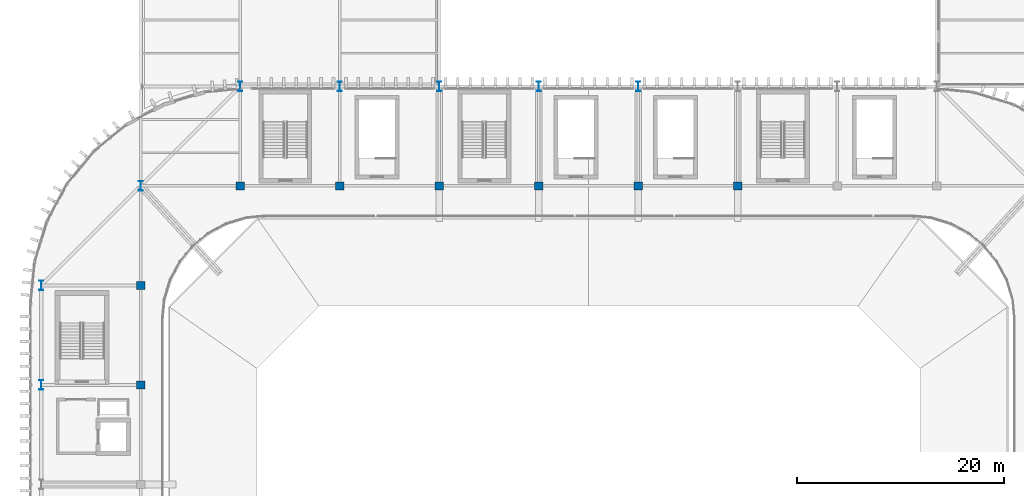
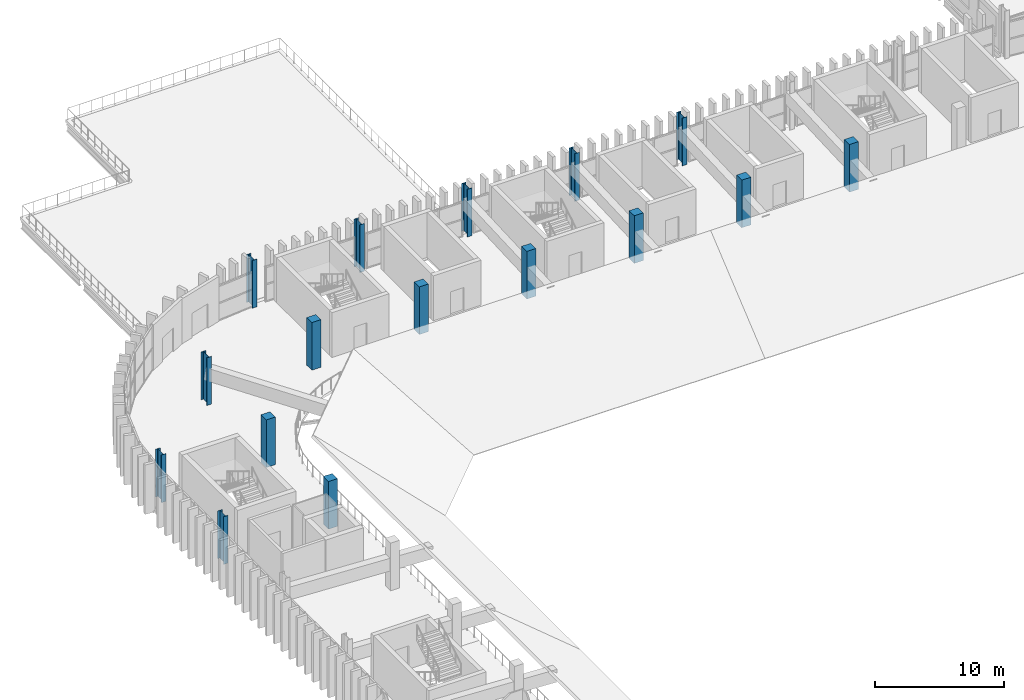
# One storey, part 4 of 69: 16 columns.
"""IFC4 building model written with IfcOpenShell, lengths in metres."""

from ifc_helpers import new_model, si_unit, direction, frame, origin, origin_2d, place, context, subcontext, project, spatial, rectangle, i_section, extrude, material, material_profile, profile_set, type_object, element, save


model = new_model("IFC4")

# Units and contexts
model_context = context("Model", 3, precision=1e-05, world=origin(), true_north=direction((0.0, 1.0)))
body_context = subcontext(model_context, "Body", "Model", "MODEL_VIEW")
ifc_project = project(units=[si_unit("LENGTHUNIT", "METRE"), si_unit("AREAUNIT", "SQUARE_METRE"), si_unit("VOLUMEUNIT", "CUBIC_METRE"), si_unit("PLANEANGLEUNIT", "RADIAN"), si_unit("MASSUNIT", "GRAM", prefix="KILO")], contexts=[model_context])

# Site, building, storey
site_placement = place(None, origin())
site = spatial("IfcSite", under=ifc_project, at=site_placement, CompositionType="ELEMENT")
building_placement = place(site_placement, origin())
building = spatial("IfcBuilding", under=site, at=building_placement, Name="Caelomonte Colonnade Arena", CompositionType="ELEMENT")
storey_placement = place(building_placement, frame((0.0, 0.0, 18.60009765625)))
storey = spatial("IfcBuildingStorey", under=building, at=storey_placement, Name="L04", CompositionType="ELEMENT", Elevation=18.60009765625)

# Columns
ifc_material_1 = material(Name="Concrete C40/50", Category="concrete")
ifc_material_profile_1 = material_profile(ifc_material_1, rectangle(XDim=0.800048828125, YDim=0.800048828125, at=origin_2d()), Name="RC800X800")
ifc_profile_set_1 = profile_set([ifc_material_profile_1], Name="Concrete C40/50")
column_type_1 = type_object("IfcColumnType", Name="STR-COL-RC08", PredefinedType="COLUMN", material=ifc_profile_set_1)
for number, where, z_axis, x_axis, name in (
    (1, (67.199951171875, 86.39990234375, 0.0), (0.0, 0.0, 1.0), (1.0, 0.0, 0.0), "L04 column (67.2, 86.4)"),
    (2, (67.199951171875, 96.0, 0.0), (0.0, 0.0, 1.0), (1.0, 0.0, 0.0), "L04 column (67.2, 96.0)"),
    (3, (76.800048828125, 105.60009765625, 0.0), (0.0, 0.0, 1.0), (1.0, 0.0, 0.0), "L04 column (76.8, 105.6)"),
    (4, (86.39990234375, 105.60009765625, 0.0), (0.0, 0.0, 1.0), (1.0, 0.0, 0.0), "L04 column (86.4, 105.6)"),
    (5, (96.0, 105.60009765625, 0.0), (0.0, 0.0, 1.0), (1.0, 0.0, 0.0), "L04 column (96.0, 105.6)"),
    (6, (105.60009765625, 105.60009765625, 0.0), (0.0, 0.0, 1.0), (1.0, 0.0, 0.0), "L04 column (105.6, 105.6)"),
    (7, (115.199951171875, 105.60009765625, 0.0), (0.0, 0.0, 1.0), (1.0, 0.0, 0.0), "L04 column (115.2, 105.6)"),
    (8, (124.800048828125, 105.60009765625, 0.0), (0.0, 0.0, 1.0), (1.0, 0.0, 0.0), "L04 column (124.8, 105.6)"),
):
    element("IfcColumn", number, at=place(storey_placement, frame(where, z_axis=z_axis, x_axis=x_axis)), inside=storey, type_object=column_type_1, Name=name, PredefinedType="COLUMN", context=body_context, shape_type="SweptSolid", body=[
        extrude(rectangle(XDim=0.800048828125, YDim=0.800048828125, at=origin_2d()), origin(), (0.0, 0.0, 1.0), 4.5),
    ])
ifc_material_2 = material(Name="Wide-flange steel ASTM A992 Grade 50", Category="steel")
ifc_material_profile_2 = material_profile(ifc_material_2, i_section(OverallWidth=0.418212890625, OverallDepth=0.927001953125, WebThickness=0.019287109375, FlangeThickness=0.031982421875, FilletRadius=0.024169921875, at=origin_2d()), Name="W36X231")
ifc_profile_set_2 = profile_set([ifc_material_profile_2], Name="Wide-flange steel ASTM A992 Grade 50")
column_type_2 = type_object("IfcColumnType", Name="STR-COL-W36B", PredefinedType="COLUMN", material=ifc_profile_set_2)
for number, where, z_axis, x_axis, name in (
    (9, (57.60009765625, 86.39990234375, 0.0), (0.0, 0.0, 1.0), (1.0, 0.0, 0.0), "L04 column (57.6, 86.4)"),
    (10, (57.60009765625, 96.0, 0.0), (0.0, 0.0, 1.0), (1.0, 0.0, 0.0), "L04 column (57.6, 96.0)"),
    (11, (67.199951171875, 105.60009765625, 0.0), (0.0, 0.0, 1.0), (1.0, 0.0, 0.0), "L04 column (67.2, 105.6)"),
    (12, (76.800048828125, 115.199951171875, 0.0), (0.0, 0.0, 1.0), (1.0, 0.0, 0.0), "L04 column (76.8, 115.2)"),
    (13, (86.39990234375, 115.199951171875, 0.0), (0.0, 0.0, 1.0), (1.0, 0.0, 0.0), "L04 column (86.4, 115.2)"),
    (14, (96.0, 115.199951171875, 0.0), (0.0, 0.0, 1.0), (1.0, 0.0, 0.0), "L04 column (96.0, 115.2)"),
    (15, (105.60009765625, 115.199951171875, 0.0), (0.0, 0.0, 1.0), (1.0, 0.0, 0.0), "L04 column (105.6, 115.2)"),
    (16, (115.199951171875, 115.199951171875, 0.0), (0.0, 0.0, 1.0), (1.0, 0.0, 0.0), "L04 column (115.2, 115.2)"),
):
    element("IfcColumn", number, at=place(storey_placement, frame(where, z_axis=z_axis, x_axis=x_axis)), inside=storey, type_object=column_type_2, Name=name, PredefinedType="COLUMN", context=body_context, shape_type="SweptSolid", body=[
        extrude(i_section(OverallWidth=0.418212890625, OverallDepth=0.927001953125, WebThickness=0.019287109375, FlangeThickness=0.031982421875, FilletRadius=0.024169921875, at=origin_2d()), origin(), (0.0, 0.0, 1.0), 4.5),
    ])

save(model, "model.ifc")
